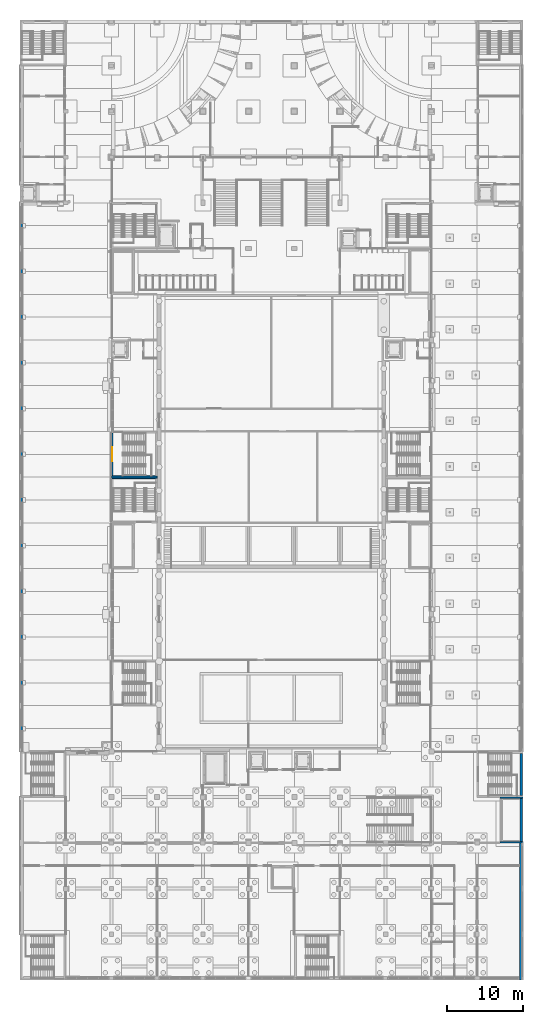
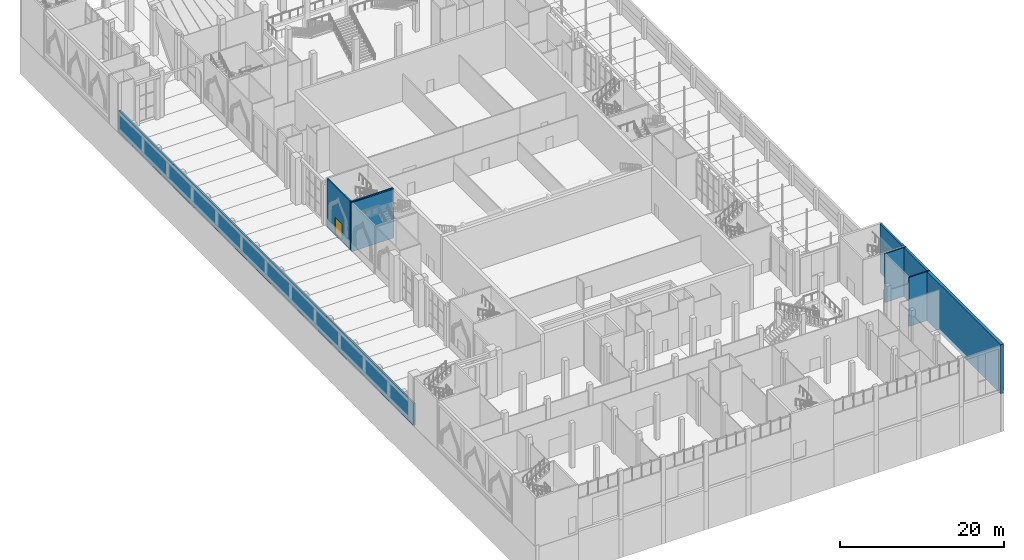
# One storey, part 45 of 95: 9 walls, 1 door, 1 opening.
"""IFC4 building model written with IfcOpenShell, lengths in metres."""

from ifc_helpers import new_model, si_unit, direction, frame, frame_2d, origin, place, context, subcontext, project, spatial, rectangle, extrude, material, layer, layer_set, type_object, element, fill, save


model = new_model("IFC4")

# Units and contexts
model_context = context("Model", 3, precision=1e-05, world=origin(), true_north=direction((0.0, 1.0)))
body_context = subcontext(model_context, "Body", "Model", "MODEL_VIEW")
ifc_project = project(units=[si_unit("LENGTHUNIT", "METRE"), si_unit("AREAUNIT", "SQUARE_METRE"), si_unit("VOLUMEUNIT", "CUBIC_METRE"), si_unit("PLANEANGLEUNIT", "RADIAN"), si_unit("MASSUNIT", "GRAM", prefix="KILO")], contexts=[model_context])

# Site, building, storey
site_placement = place(None, origin())
site = spatial("IfcSite", under=ifc_project, at=site_placement, CompositionType="ELEMENT")
building_placement = place(site_placement, origin())
building = spatial("IfcBuilding", under=site, at=building_placement, Name="Saffron Lane Theatres", CompositionType="ELEMENT")
storey_placement = place(building_placement, origin())
storey = spatial("IfcBuildingStorey", under=building, at=storey_placement, Name="L00", CompositionType="ELEMENT", Elevation=0.0)

# Walls
ifc_material_1 = material(Name="Concrete N50 (50 MPa)", Category="concrete")
ifc_layer_1 = layer(ifc_material_1, 0.25)
ifc_layer_set_1 = layer_set([ifc_layer_1], Name="Concrete N50 (50 MPa)")
wall_type_1 = type_object("IfcWallType", Name="RC-BOUNDARY 250", PredefinedType="SOLIDWALL", material=ifc_layer_set_1)
wall_1_placement = place(storey_placement, frame((0.18505859375, 30.0, -0.300048828125), z_axis=(0.0, 0.0, 1.0), x_axis=(0.0, 1.0, 0.0)))
element("IfcWall", 1, at=wall_1_placement, inside=storey, type_object=wall_type_1, Name="W-BOUNDARY-W-L00", PredefinedType="SOLIDWALL", context=body_context, shape_type="SweptSolid", body=[
    extrude(rectangle(XDim=72.0, YDim=0.25, at=frame_2d((36.0, 0.0))), origin(), (0.0, 0.0, 1.0), 3.300048828125),
])
ifc_material_2 = material(Name="Concrete N50 (50 MPa)", Category="concrete")
ifc_layer_2 = layer(ifc_material_2, 0.14990234375)
ifc_layer_set_2 = layer_set([ifc_layer_2], Name="Concrete N50 (50 MPa)")
wall_type_2 = type_object("IfcWallType", Name="RC-CORE 150", PredefinedType="SHEAR", material=ifc_layer_set_2)
for number, where, z_axis, x_axis, name in (
    (2, (63.0, 23.925048828125, -0.300048828125), (0.0, 0.0, 1.0), (1.0, 0.0, 0.0), "W-R6-N-L00"),
    (3, (63.0, 18.074951171875, -0.300048828125), (0.0, 0.0, 1.0), (1.0, 0.0, 0.0), "W-R6-S-L00"),
):
    element("IfcWall", number, at=place(storey_placement, frame(where, z_axis=z_axis, x_axis=x_axis)), inside=storey, type_object=wall_type_2, Name=name, PredefinedType="SHEAR", context=body_context, shape_type="SweptSolid", body=[
        extrude(rectangle(XDim=3.0, YDim=0.14990234375, at=frame_2d((1.5, 0.0))), origin(), (0.0, 0.0, 1.0), 7.300048828125),
    ])
ifc_material_3 = material(Name="Concrete N50 (50 MPa)", Category="concrete")
ifc_layer_3 = layer(ifc_material_3, 0.199951171875)
ifc_layer_set_3 = layer_set([ifc_layer_3], Name="Concrete N50 (50 MPa)")
wall_type_3 = type_object("IfcWallType", Name="RC-CORE 200", PredefinedType="SHEAR", material=ifc_layer_set_3)
for number, where, z_axis, x_axis, name in (
    (4, (12.0, 66.10009765625, -0.300048828125), (0.0, 0.0, 1.0), (1.0, 0.0, 0.0), "W-ST3-S-L00"),
    (5, (12.0, 65.89990234375, -0.300048828125), (0.0, 0.0, 1.0), (1.0, 0.0, 0.0), "W-ST10-N-L00"),
):
    element("IfcWall", number, at=place(storey_placement, frame(where, z_axis=z_axis, x_axis=x_axis)), inside=storey, type_object=wall_type_3, Name=name, PredefinedType="SHEAR", context=body_context, shape_type="SweptSolid", body=[
        extrude(rectangle(XDim=6.0, YDim=0.199951171875, at=frame_2d((3.0, 0.0))), origin(), (0.0, 0.0, 1.0), 7.300048828125),
    ])

# Wall, opening, door
ifc_material_4 = material(Name="Concrete N50 (50 MPa)", Category="concrete")
ifc_layer_4 = layer(ifc_material_4, 0.199951171875)
ifc_layer_set_4 = layer_set([ifc_layer_4], Name="Concrete N50 (50 MPa)")
wall_type_4 = type_object("IfcWallType", Name="RC-CORE EXTERNAL 200", PredefinedType="SHEAR", material=ifc_layer_set_4)
wall_2_placement = place(storey_placement, frame((12.10009765625, 66.199951171875, -0.300048828125), z_axis=(0.0, 0.0, 1.0), x_axis=(0.0, 1.0, 0.0)))
wall_2 = element("IfcWall", 6, at=wall_2_placement, inside=storey, type_object=wall_type_4, Name="W-ST3-W-L00", PredefinedType="SHEAR", context=body_context, shape_type="SweptSolid", body=[
    extrude(rectangle(XDim=5.60009765625, YDim=0.199951171875, at=frame_2d((2.800048828125, 0.0))), origin(), (0.0, 0.0, 1.0), 7.300048828125),
])
opening_placement = place(wall_2_placement, frame((1.89990234375, 0.0, 0.300048828125)))
opening = element("IfcOpeningElement", 7, at=opening_placement, cuts=wall_2, Name="Opening EDST3", PredefinedType="OPENING", context=body_context, shape_type="SweptSolid", body=[
    extrude(rectangle(XDim=1.800048828125, YDim=2.39990234375, at=frame_2d((0.89990234375, 1.199951171875))), frame((0.0, 0.10986328125, 0.0), z_axis=(0.0, -1.0, 0.0), x_axis=(1.0, 0.0, 0.0)), (0.0, 0.0, 1.0), 0.219970703125),
])
ifc_material_5 = material(Name="Steel faced fire door leaf", Category="steel")
door_type = type_object("IfcDoorType", Name="EX-EXIT DOOR PAIR 1800x2400", OperationType="DOUBLE_DOOR_SINGLE_SWING", PredefinedType="DOOR", material=ifc_material_5)
door_placement = place(opening_placement, origin())
door = element("IfcDoor", 8, at=door_placement, inside=storey, type_object=door_type, Name="Exit door ST3", OperationType="DOUBLE_DOOR_SINGLE_SWING", OverallHeight=2.39990234375, OverallWidth=1.800048828125, PredefinedType="DOOR", context=body_context, shape_type="SweptSolid", body=[
    extrude(rectangle(XDim=1.800048828125, YDim=2.39990234375, at=frame_2d((0.89990234375, 1.199951171875))), frame((0.0, 0.02490234375, 0.0), z_axis=(0.0, -1.0, 0.0), x_axis=(1.0, 0.0, 0.0)), (0.0, 0.0, 1.0), 0.050048828125),
])
fill(opening, door)

# Walls
ifc_material_6 = material(Name="Concrete N50 (50 MPa)", Category="concrete")
ifc_layer_5 = layer(ifc_material_6, 0.300048828125)
ifc_layer_set_5 = layer_set([ifc_layer_5], Name="Concrete N50 (50 MPa)")
wall_type_5 = type_object("IfcWallType", Name="RC-CORE EXTERNAL 300", PredefinedType="SHEAR", material=ifc_layer_set_5)
wall_3_placement = place(storey_placement, frame((65.7900390625, 24.199951171875, -0.300048828125), z_axis=(0.0, 0.0, 1.0), x_axis=(0.0, 1.0, 0.0)))
element("IfcWall", 9, at=wall_3_placement, inside=storey, type_object=wall_type_5, Name="W-ST13-E-L00", PredefinedType="SHEAR", context=body_context, shape_type="SweptSolid", body=[
    extrude(rectangle(XDim=5.5, YDim=0.300048828125, at=frame_2d((2.75, 0.0))), origin(), (0.0, 0.0, 1.0), 7.300048828125),
])
wall_4_placement = place(storey_placement, frame((65.7900390625, 18.14990234375, -0.300048828125), z_axis=(0.0, 0.0, 1.0), x_axis=(0.0, 1.0, 0.0)))
element("IfcWall", 10, at=wall_4_placement, inside=storey, type_object=wall_type_5, Name="W-R6-E-L00", PredefinedType="SHEAR", context=body_context, shape_type="SweptSolid", body=[
    extrude(rectangle(XDim=5.7001953125, YDim=0.300048828125, at=frame_2d((2.85009765625, 0.0))), origin(), (0.0, 0.0, 1.0), 7.300048828125),
])
ifc_material_7 = material(Name="Concrete N50 (50 MPa)", Category="concrete")
ifc_layer_6 = layer(ifc_material_7, 0.39990234375)
ifc_layer_set_6 = layer_set([ifc_layer_6], Name="Concrete N50 (50 MPa)")
wall_type_6 = type_object("IfcWallType", Name="RC-PARTY 400", PredefinedType="SOLIDWALL", material=ifc_layer_set_6)
wall_5_placement = place(storey_placement, frame((65.739990234375, 0.0, -0.300048828125), z_axis=(0.0, 0.0, 1.0), x_axis=(0.0, 1.0, 0.0)))
element("IfcWall", 11, at=wall_5_placement, inside=storey, type_object=wall_type_6, Name="W-PARTY-E-0-L00", PredefinedType="SOLIDWALL", context=body_context, shape_type="SweptSolid", body=[
    extrude(rectangle(XDim=18.0, YDim=0.39990234375, at=frame_2d((9.0, 0.0))), origin(), (0.0, 0.0, 1.0), 7.300048828125),
])

save(model, "model.ifc")
